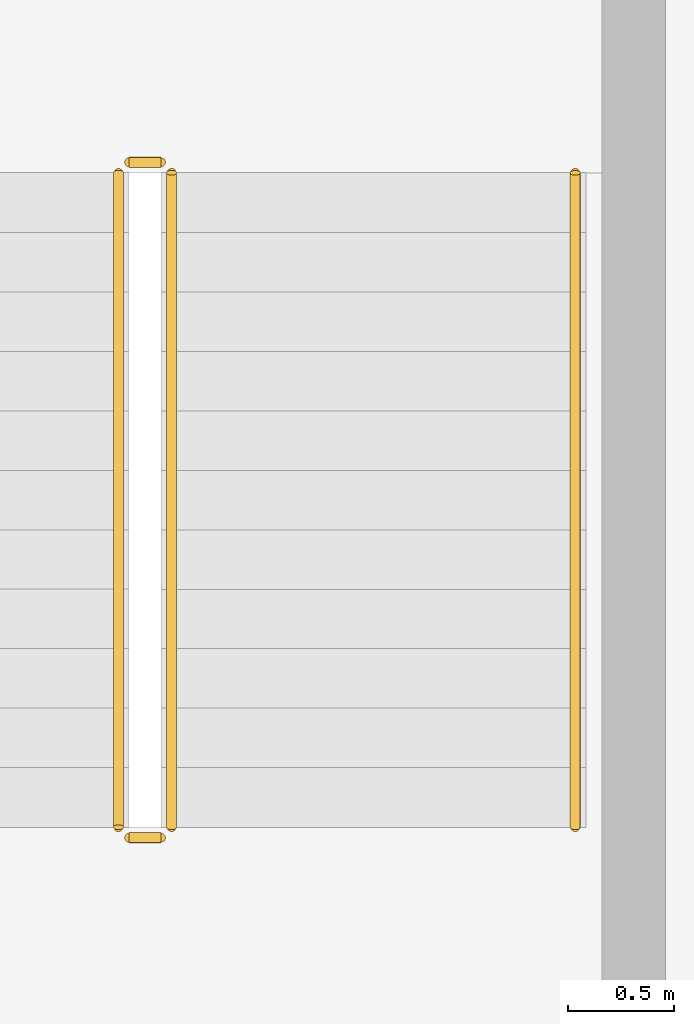
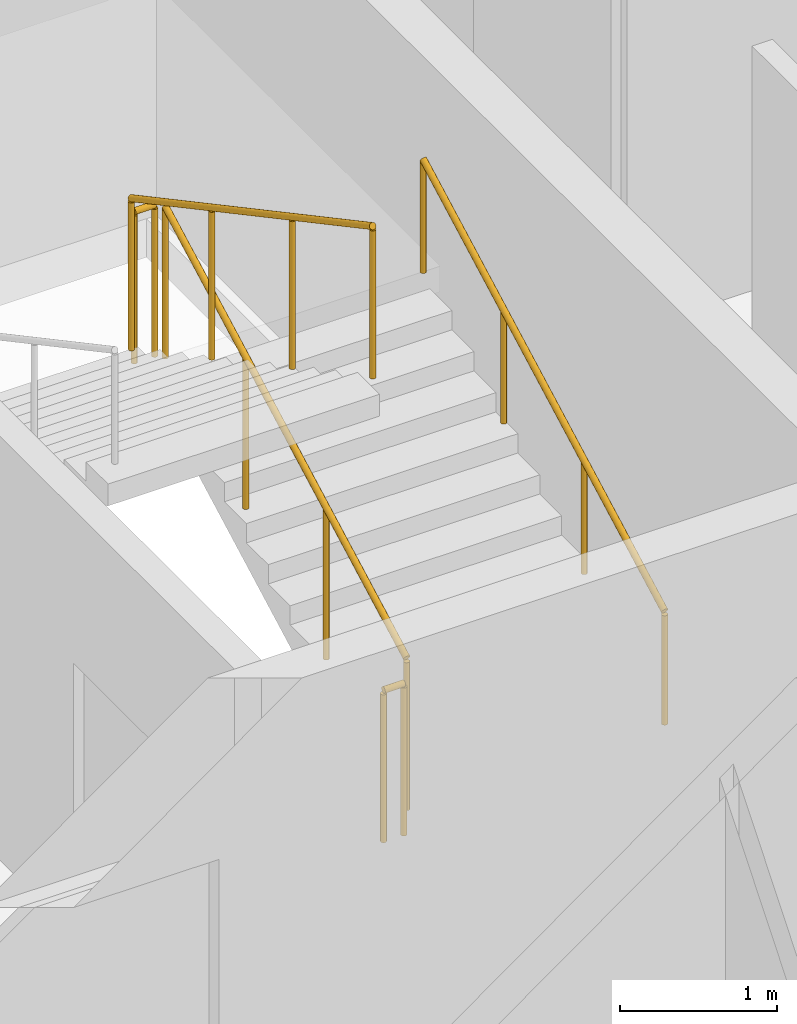
# One storey, part 15 of 15: 5 railings.
"""IFC4 building model written with IfcOpenShell, lengths in metres."""

from ifc_helpers import new_model, si_unit, direction, frame, origin, origin_2d, place, context, subcontext, project, spatial, circle, extrude, material, type_object, element, save


model = new_model("IFC4")

# Units and contexts
model_context = context("Model", 3, precision=1e-05, world=origin(), true_north=direction((0.0, 1.0)))
body_context = subcontext(model_context, "Body", "Model", "MODEL_VIEW")
ifc_project = project(units=[si_unit("LENGTHUNIT", "METRE"), si_unit("AREAUNIT", "SQUARE_METRE"), si_unit("VOLUMEUNIT", "CUBIC_METRE"), si_unit("PLANEANGLEUNIT", "RADIAN"), si_unit("MASSUNIT", "GRAM", prefix="KILO")], contexts=[model_context])

# Site, building, storey
site_placement = place(None, origin())
site = spatial("IfcSite", under=ifc_project, at=site_placement, CompositionType="ELEMENT")
building_placement = place(site_placement, origin())
building = spatial("IfcBuilding", under=site, at=building_placement, Name="Caravel Reach Hotel and Residences", CompositionType="ELEMENT")
storey_placement = place(building_placement, frame((0.0, 0.0, 111.60009765625)))
storey = spatial("IfcBuildingStorey", under=building, at=storey_placement, Name="L27", CompositionType="ELEMENT", Elevation=111.60009765625)

# Railings
ifc_material_1 = material(Name="Steel balustrade with glass infill", Category="steel")
railing_type_1 = type_object("IfcRailingType", Name="Guard 1200", PredefinedType="GUARDRAIL", material=ifc_material_1)
railing_1_placement = place(storey_placement, frame((42.824951171875, 24.64990234375, 0.14990234375)))
element("IfcRailing", 1, at=railing_1_placement, inside=storey, type_object=railing_type_1, Name="L27 ST-B stair guard 1", PredefinedType="GUARDRAIL", context=body_context, shape_type="SweptSolid", body=[
    extrude(circle(Radius=0.02392578125, at=origin_2d()), frame((0.0, 0.0, 1.17578125), z_axis=(0.0, 0.881496589024, 0.472190389079), x_axis=(-1.0, 0.0, 0.0)), (0.0, 0.0, 1.0), 3.494140625),
    extrude(circle(Radius=0.02099609375, at=origin_2d()), origin(), (0.0, 0.0, 1.0), 1.15185546875),
    extrude(circle(Radius=0.02099609375, at=origin_2d()), frame((0.0, 1.026611328125, 0.550048828125)), (0.0, 0.0, 1.0), 1.15185546875),
    extrude(circle(Radius=0.02099609375, at=origin_2d()), frame((0.0, 2.053466796875, 1.099853515625)), (0.0, 0.0, 1.0), 1.15185546875),
    extrude(circle(Radius=0.02099609375, at=origin_2d()), frame((0.0, 3.080078125, 1.64990234375)), (0.0, 0.0, 1.0), 1.15185546875),
])
railing_2_placement = place(storey_placement, frame((42.77490234375, 27.780029296875, 1.7998046875)))
element("IfcRailing", 2, at=railing_2_placement, inside=storey, type_object=railing_type_1, Name="L27 ST-B stair guard 2", PredefinedType="GUARDRAIL", context=body_context, shape_type="SweptSolid", body=[
    extrude(circle(Radius=0.02392578125, at=origin_2d()), frame((0.0, 0.0, 1.17578125), z_axis=(-1.0, 0.0, 0.0), x_axis=(0.0, -1.0, 0.0)), (0.0, 0.0, 1.0), 0.14990234375),
    extrude(circle(Radius=0.02099609375, at=origin_2d()), origin(), (0.0, 0.0, 1.0), 1.15185546875),
    extrude(circle(Radius=0.02099609375, at=origin_2d()), frame((-0.14990234375, 0.0, 0.0)), (0.0, 0.0, 1.0), 1.15185546875),
])
railing_3_placement = place(storey_placement, frame((42.574951171875, 27.72998046875, 1.949951171875)))
element("IfcRailing", 3, at=railing_3_placement, inside=storey, type_object=railing_type_1, Name="L27 ST-B stair guard 3", PredefinedType="GUARDRAIL", context=body_context, shape_type="SweptSolid", body=[
    extrude(circle(Radius=0.02392578125, at=origin_2d()), frame((0.0, 0.0, 1.17578125), z_axis=(0.0, -0.881496589024, 0.472190389079), x_axis=(1.0, 0.0, 0.0)), (0.0, 0.0, 1.0), 3.494140625),
    extrude(circle(Radius=0.02099609375, at=origin_2d()), origin(), (0.0, 0.0, 1.0), 1.15185546875),
    extrude(circle(Radius=0.02099609375, at=origin_2d()), frame((0.0, -1.026611328125, 0.550048828125)), (0.0, 0.0, 1.0), 1.15185546875),
    extrude(circle(Radius=0.02099609375, at=origin_2d()), frame((0.0, -2.053466796875, 1.099853515625)), (0.0, 0.0, 1.0), 1.15185546875),
    extrude(circle(Radius=0.02099609375, at=origin_2d()), frame((0.0, -3.080078125, 1.64990234375)), (0.0, 0.0, 1.0), 1.15185546875),
])
railing_4_placement = place(storey_placement, frame((42.77490234375, 24.60009765625, 0.0)))
element("IfcRailing", 4, at=railing_4_placement, inside=storey, type_object=railing_type_1, Name="L27 ST-B stair guard 4", PredefinedType="GUARDRAIL", context=body_context, shape_type="SweptSolid", body=[
    extrude(circle(Radius=0.02392578125, at=origin_2d()), frame((0.0, 0.0, 1.17578125), z_axis=(-1.0, 0.0, 0.0), x_axis=(0.0, -1.0, 0.0)), (0.0, 0.0, 1.0), 0.14990234375),
    extrude(circle(Radius=0.02099609375, at=origin_2d()), origin(), (0.0, 0.0, 1.0), 1.15185546875),
    extrude(circle(Radius=0.02099609375, at=origin_2d()), frame((-0.14990234375, 0.0, 0.0)), (0.0, 0.0, 1.0), 1.15185546875),
])
ifc_material_2 = material(Name="Stainless steel handrail", Category="steel")
railing_type_2 = type_object("IfcRailingType", Name="Handrail 900", PredefinedType="HANDRAIL", material=ifc_material_2)
railing_5_placement = place(storey_placement, frame((44.72509765625, 24.64990234375, 0.14990234375)))
element("IfcRailing", 5, at=railing_5_placement, inside=storey, type_object=railing_type_2, Name="L27 ST-B stair handrail 1", PredefinedType="HANDRAIL", context=body_context, shape_type="SweptSolid", body=[
    extrude(circle(Radius=0.02392578125, at=origin_2d()), frame((0.0, 0.0, 0.8759765625), z_axis=(0.0, 0.881496589024, 0.472190389079), x_axis=(-1.0, 0.0, 0.0)), (0.0, 0.0, 1.0), 3.494140625),
    extrude(circle(Radius=0.02099609375, at=origin_2d()), origin(), (0.0, 0.0, 1.0), 0.851806640625),
    extrude(circle(Radius=0.02099609375, at=origin_2d()), frame((0.0, 1.026611328125, 0.550048828125)), (0.0, 0.0, 1.0), 0.851806640625),
    extrude(circle(Radius=0.02099609375, at=origin_2d()), frame((0.0, 2.053466796875, 1.099853515625)), (0.0, 0.0, 1.0), 0.851806640625),
    extrude(circle(Radius=0.02099609375, at=origin_2d()), frame((0.0, 3.080078125, 1.64990234375)), (0.0, 0.0, 1.0), 0.851806640625),
])

save(model, "model.ifc")
